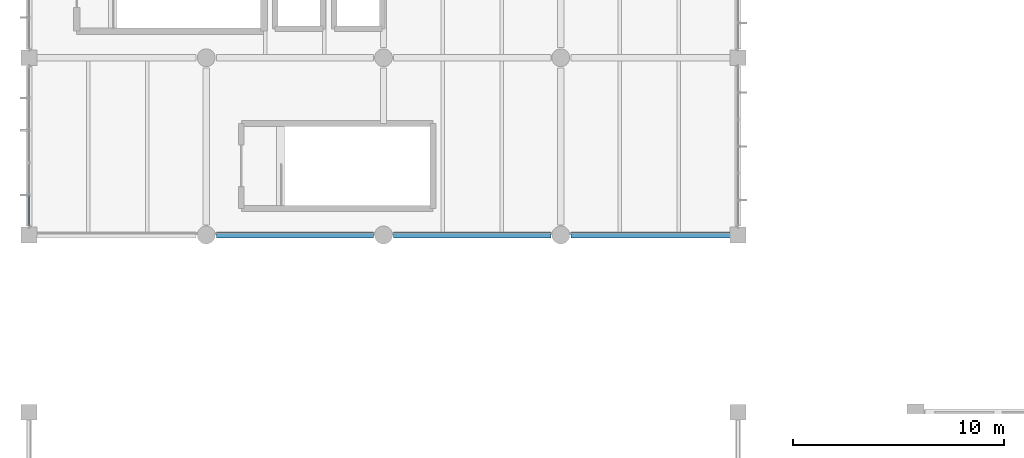
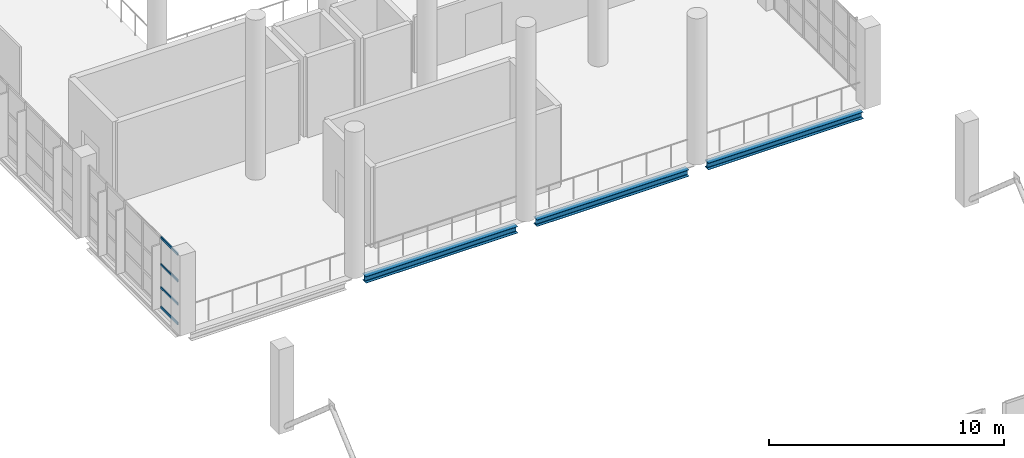
# One storey, part 26 of 177: 4 members, 3 beams, 1 element without a shape of its own.
"""IFC4 building model written with IfcOpenShell, lengths in metres."""

from ifc_helpers import new_model, si_unit, direction, frame, origin, origin_2d, place, context, subcontext, project, spatial, hollow_rectangle, i_section, extrude, material, layer, layer_set, material_profile, profile_set, type_object, element, aggregate, save


model = new_model("IFC4")

# Units and contexts
model_context = context("Model", 3, precision=1e-05, world=origin(), true_north=direction((0.0, 1.0)))
body_context = subcontext(model_context, "Body", "Model", "MODEL_VIEW")
ifc_project = project(units=[si_unit("LENGTHUNIT", "METRE"), si_unit("AREAUNIT", "SQUARE_METRE"), si_unit("VOLUMEUNIT", "CUBIC_METRE"), si_unit("PLANEANGLEUNIT", "RADIAN"), si_unit("MASSUNIT", "GRAM", prefix="KILO"), si_unit("THERMODYNAMICTEMPERATUREUNIT", "KELVIN"), si_unit("POWERUNIT", "WATT")], contexts=[model_context])

# Site, building, storey
site_placement = place(None, origin())
site = spatial("IfcSite", under=ifc_project, at=site_placement, CompositionType="ELEMENT")
building_placement = place(site_placement, origin())
building = spatial("IfcBuilding", under=site, at=building_placement, Name="Mavoryth Pier Ferry Terminal", CompositionType="ELEMENT")
storey_placement = place(building_placement, frame((0.0, 0.0, 5.43994140625)))
storey = spatial("IfcBuildingStorey", under=building, at=storey_placement, Name="L01", CompositionType="ELEMENT", Elevation=5.43994140625)

# Beams
ifc_material_1 = material(Name="Steel S355J2", Category="steel")
ifc_material_profile_1 = material_profile(ifc_material_1, i_section(OverallWidth=0.300048828125, OverallDepth=0.35009765625, WebThickness=0.010009765625, FlangeThickness=0.017578125, FilletRadius=0.027099609375, at=origin_2d()), Name="HEA 360", Category="steel")
ifc_profile_set_1 = profile_set([ifc_material_profile_1], Name="Steel S355J2 - HEA 360")
beam_type = type_object("IfcBeamType", Name="Spandrel-Steel-HEA360", PredefinedType="SPANDREL", material=ifc_profile_set_1)
beam_1_placement = place(storey_placement, frame((8.875, 47.199951171875, -0.454833984375), z_axis=(1.0, 0.0, 0.0), x_axis=(0.0, 1.0, 0.0)))
element("IfcBeam", 1, at=beam_1_placement, inside=storey, type_object=beam_type, Name="Beam B01-SP03-0049", PredefinedType="SPANDREL", context=body_context, shape_type="SweptSolid", body=[
    extrude(i_section(OverallWidth=0.300048828125, OverallDepth=0.35009765625, WebThickness=0.010009765625, FlangeThickness=0.017578125, FilletRadius=0.027099609375, at=origin_2d()), origin(), (0.0, 0.0, 1.0), 7.449951171875),
])
beam_2_placement = place(storey_placement, frame((17.27490234375, 47.199951171875, -0.454833984375), z_axis=(1.0, 0.0, 0.0), x_axis=(0.0, 1.0, 0.0)))
element("IfcBeam", 2, at=beam_2_placement, inside=storey, type_object=beam_type, Name="Beam B01-SP03-0050", PredefinedType="SPANDREL", context=body_context, shape_type="SweptSolid", body=[
    extrude(i_section(OverallWidth=0.300048828125, OverallDepth=0.35009765625, WebThickness=0.010009765625, FlangeThickness=0.017578125, FilletRadius=0.027099609375, at=origin_2d()), origin(), (0.0, 0.0, 1.0), 7.4501953125),
])
beam_3_placement = place(storey_placement, frame((25.675048828125, 47.199951171875, -0.454833984375), z_axis=(1.0, 0.0, 0.0), x_axis=(0.0, 1.0, 0.0)))
element("IfcBeam", 3, at=beam_3_placement, inside=storey, type_object=beam_type, Name="Beam B01-SP03-0051", PredefinedType="SPANDREL", context=body_context, shape_type="SweptSolid", body=[
    extrude(i_section(OverallWidth=0.300048828125, OverallDepth=0.35009765625, WebThickness=0.010009765625, FlangeThickness=0.017578125, FilletRadius=0.027099609375, at=origin_2d()), origin(), (0.0, 0.0, 1.0), 7.599853515625),
])

# Curtain wall, members
ifc_material_2 = material(Name="Anodised Aluminium and Solar-Control Low-E Glass", Category="aluminium")
ifc_layer = layer(ifc_material_2, 0.179931640625, Name="Anodised Aluminium and Solar-Control Low-E Glass", Category="aluminium")
ifc_layer_set = layer_set([ifc_layer], Name="Anodised Aluminium and Solar-Control Low-E Glass - CW-Concourse-Mod1400")
curtain_wall_type = type_object("IfcCurtainWallType", Name="CW-Concourse-Mod1400", PredefinedType="USERDEFINED", material=ifc_layer_set)
curtain_wall_placement = place(storey_placement, origin())
curtain_wall = element("IfcCurtainWall", 4, at=curtain_wall_placement, inside=storey, type_object=curtain_wall_type, Name="Curtain Wall CW-0122-007", ObjectType="UNITISED CURTAIN WALL", PredefinedType="USERDEFINED")
ifc_material_3 = material(Name="Anodised Aluminium EN AW-6063", Category="aluminium")
ifc_material_profile_2 = material_profile(ifc_material_3, hollow_rectangle(XDim=0.06005859375, YDim=0.125, WallThickness=0.00390625, InnerFilletRadius=0.00390625, OuterFilletRadius=0.008056640625, at=origin_2d()), Name="AL-TRAN 125x60x4", Category="aluminium")
ifc_profile_set_2 = profile_set([ifc_material_profile_2], Name="Anodised Aluminium EN AW-6063 - AL-TRAN 125x60x4")
member_type = type_object("IfcMemberType", Name="Transom-Alum-125x60", PredefinedType="USERDEFINED", material=ifc_profile_set_2)
member_1_placement = place(storey_placement, frame((0.0, 49.074951171875, 0.030029296875), z_axis=(0.0, -1.0, 0.0), x_axis=(1.0, 0.0, 0.0)))
member_1 = element("IfcMember", 5, at=member_1_placement, type_object=member_type, Name="CW01 transom 5.1", ObjectType="TRANSOM", PredefinedType="USERDEFINED", context=body_context, shape_type="SweptSolid", body=[
    extrude(hollow_rectangle(XDim=0.06005859375, YDim=0.125, WallThickness=0.00390625, InnerFilletRadius=0.00390625, OuterFilletRadius=0.008056640625, at=origin_2d()), origin(), (0.0, 0.0, 1.0), 1.43994140625),
])
member_2_placement = place(storey_placement, frame((0.0, 49.074951171875, 1.050048828125), z_axis=(0.0, -1.0, 0.0), x_axis=(1.0, 0.0, 0.0)))
member_2 = element("IfcMember", 6, at=member_2_placement, type_object=member_type, Name="CW01 transom 5.2", ObjectType="TRANSOM", PredefinedType="USERDEFINED", context=body_context, shape_type="SweptSolid", body=[
    extrude(hollow_rectangle(XDim=0.06005859375, YDim=0.125, WallThickness=0.00390625, InnerFilletRadius=0.00390625, OuterFilletRadius=0.008056640625, at=origin_2d()), origin(), (0.0, 0.0, 1.0), 1.43994140625),
])
member_3_placement = place(storey_placement, frame((0.0, 49.074951171875, 2.25), z_axis=(0.0, -1.0, 0.0), x_axis=(1.0, 0.0, 0.0)))
member_3 = element("IfcMember", 7, at=member_3_placement, type_object=member_type, Name="CW01 transom 5.3", ObjectType="TRANSOM", PredefinedType="USERDEFINED", context=body_context, shape_type="SweptSolid", body=[
    extrude(hollow_rectangle(XDim=0.06005859375, YDim=0.125, WallThickness=0.00390625, InnerFilletRadius=0.00390625, OuterFilletRadius=0.008056640625, at=origin_2d()), origin(), (0.0, 0.0, 1.0), 1.43994140625),
])
member_4_placement = place(storey_placement, frame((0.0, 49.074951171875, 3.630126953125), z_axis=(0.0, -1.0, 0.0), x_axis=(1.0, 0.0, 0.0)))
member_4 = element("IfcMember", 8, at=member_4_placement, type_object=member_type, Name="CW01 transom 5.4", ObjectType="TRANSOM", PredefinedType="USERDEFINED", context=body_context, shape_type="SweptSolid", body=[
    extrude(hollow_rectangle(XDim=0.06005859375, YDim=0.125, WallThickness=0.00390625, InnerFilletRadius=0.00390625, OuterFilletRadius=0.008056640625, at=origin_2d()), origin(), (0.0, 0.0, 1.0), 1.43994140625),
])
aggregate(curtain_wall, [member_1, member_2, member_3, member_4])

save(model, "model.ifc")
